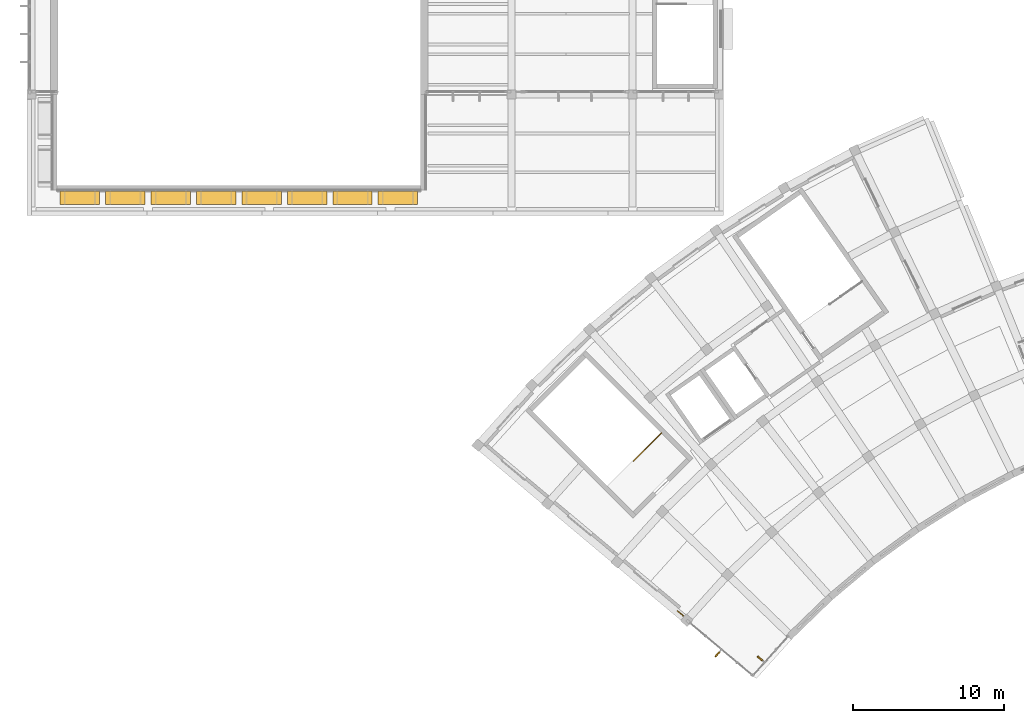
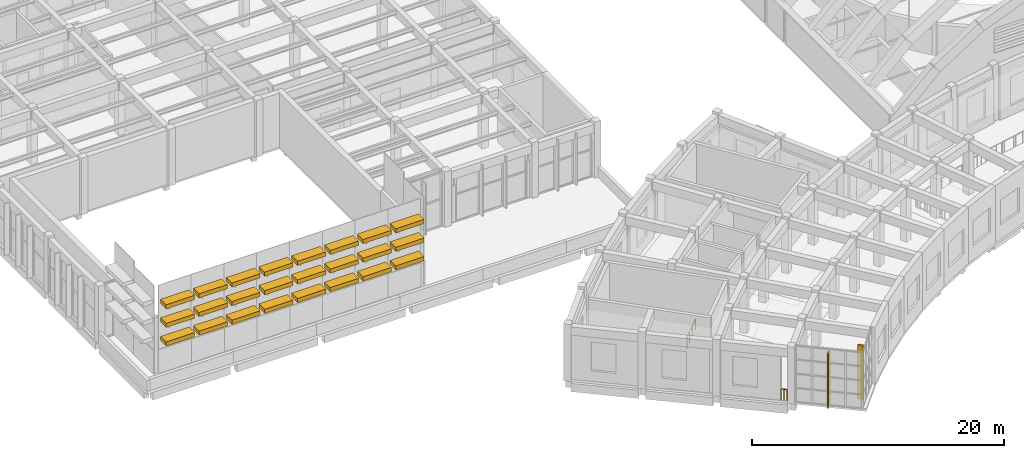
# One storey, part 81 of 94: 26 shading devices, 2 railings.
"""IFC4 building model written with IfcOpenShell, lengths in metres."""

import ifcopenshell
import ifcopenshell.guid

model = None  # the IFC model being written
_history = None  # IfcOwnerHistory: only IFC2X3 demands one
_inside = {}  # id of a spatial element -> (the spatial element, [elements in it])
_under = {}  # id of a project, library or spatial element -> (it, [spatial elements below it])
_declared = {}  # id of a project -> (the project, [libraries it declares])
_typed = {}  # id of a type object -> (the type object, [elements of that type])
_made_of = {}  # id of a material, layer set ... -> (it, [elements and type objects made of it])


def new_model(schema):
    """Start an empty IFC model of exactly this schema.

    Asked for "IFC4X3", IfcOpenShell would pick the latest addendum, in which some entities
    have other attributes; the version numbers below select the first issue.
    IFC2X3 requires an IfcOwnerHistory on every rooted entity: one is made here for all.
    """
    global model, _history
    if schema == "IFC4X3":
        model = ifcopenshell.file(schema_version=(4, 3, 0, 0))
    else:
        model = ifcopenshell.file(schema=schema)
    _inside.clear()
    _under.clear()
    _declared.clear()
    _typed.clear()
    _made_of.clear()
    _history = None
    if model.schema == "IFC2X3":
        org = make("IfcOrganization", Name="unknown")
        user = make(
            "IfcPersonAndOrganization",
            ThePerson=make("IfcPerson", FamilyName="unknown"),
            TheOrganization=org,
        )
        app = make(
            "IfcApplication",
            ApplicationDeveloper=org,
            Version="unknown",
            ApplicationFullName="unknown",
            ApplicationIdentifier="unknown",
        )
        _history = make(
            "IfcOwnerHistory",
            OwningUser=user,
            OwningApplication=app,
            ChangeAction="ADDED",
            CreationDate=0,
        )
    return model


def make(cls, **values):
    """One entity of the class cls with the attributes given. An attribute that is None is left unset."""
    return model.create_entity(
        cls, **{name: value for name, value in values.items() if value is not None}
    )


def rooted(cls, **values):
    """An entity with a GlobalId (a new one), such as an element, a storey or a relation."""
    return make(cls, GlobalId=ifcopenshell.guid.new(), OwnerHistory=_history, **values)


def si_unit(unit_type, name, prefix=None):
    """IfcSIUnit, for example si_unit("LENGTHUNIT", "METRE", prefix="MILLI")."""
    return make("IfcSIUnit", UnitType=unit_type, Prefix=prefix, Name=name)


def assignment(units):
    """IfcUnitAssignment: the units of a project."""
    return None if units is None else make("IfcUnitAssignment", Units=units)


def point(xyz):
    """IfcCartesianPoint."""
    return None if xyz is None else make("IfcCartesianPoint", Coordinates=xyz)


def direction(xyz):
    """IfcDirection."""
    return None if xyz is None else make("IfcDirection", DirectionRatios=xyz)


def frame(location, z_axis=None, x_axis=None):
    """IfcAxis2Placement3D, a coordinate frame: its origin and axes. An axis left out is left unset."""
    return make(
        "IfcAxis2Placement3D",
        Location=point(location),
        Axis=direction(z_axis),
        RefDirection=direction(x_axis),
    )


def frame_2d(location, x_axis=None):
    """IfcAxis2Placement2D, a coordinate frame in the plane: its origin and x axis."""
    return make(
        "IfcAxis2Placement2D", Location=point(location), RefDirection=direction(x_axis)
    )


def origin():
    """The frame at (0, 0, 0) with its axes left unset."""
    return frame((0.0, 0.0, 0.0))


def origin_2d():
    """The frame at (0, 0) in the plane with its x axis left unset."""
    return frame_2d((0.0, 0.0))


def place(relative_to, where):
    """IfcLocalPlacement: puts the frame where relative to a parent placement (None: the world)."""
    return make(
        "IfcLocalPlacement", PlacementRelTo=relative_to, RelativePlacement=where
    )


def context(
    kind, dimensions, precision=None, world=None, true_north=None, identifier=None
):
    """IfcGeometricRepresentationContext, for example the 3D "Model" context."""
    return make(
        "IfcGeometricRepresentationContext",
        ContextIdentifier=identifier,
        ContextType=kind,
        CoordinateSpaceDimension=dimensions,
        Precision=precision,
        WorldCoordinateSystem=world,
        TrueNorth=true_north,
    )


def subcontext(parent, identifier, kind, view, scale=None):
    """IfcGeometricRepresentationSubContext, for example "Body" below "Model"."""
    return make(
        "IfcGeometricRepresentationSubContext",
        ContextIdentifier=identifier,
        ContextType=kind,
        ParentContext=parent,
        TargetScale=scale,
        TargetView=view,
    )


def project(units=None, contexts=None):
    """IfcProject with its units and contexts."""
    return rooted(
        "IfcProject",
        Name="project",
        RepresentationContexts=contexts,
        UnitsInContext=assignment(units),
    )


def spatial(cls, under=None, at=None, **own):
    """A site, building, storey or space (cls), placed at a placement, below another one or the project."""
    s = rooted(cls, ObjectPlacement=at, **own)
    if under is not None:
        _under.setdefault(under.id(), (under, []))[1].append(s)
    return s


def profile(cls, at=None, kind="AREA", **sizes):
    """A parametric profile (cls). Its sizes go by their IFC names, for example OverallWidth=200.0."""
    return make(cls, ProfileType=kind, Position=at, **sizes)


def rectangle(**sizes):
    """IfcRectangleProfileDef."""
    return profile("IfcRectangleProfileDef", **sizes)


def circle(**sizes):
    """IfcCircleProfileDef."""
    return profile("IfcCircleProfileDef", **sizes)


def extrude(swept, where, along, depth):
    """IfcExtrudedAreaSolid: the profile swept, set in the frame where, extruded along a direction by depth."""
    return make(
        "IfcExtrudedAreaSolid",
        SweptArea=swept,
        Position=where,
        ExtrudedDirection=direction(along),
        Depth=depth,
    )


def shape(context_of_items, identifier, shape_type, items):
    """IfcShapeRepresentation: the items that make up one representation, for example the "Body"."""
    return make(
        "IfcShapeRepresentation",
        ContextOfItems=context_of_items,
        RepresentationIdentifier=identifier,
        RepresentationType=shape_type,
        Items=items,
    )


def material(Name=None, Category=None):
    """IfcMaterial."""
    return make("IfcMaterial", Name=Name, Category=Category)


def made_of(thing, what):
    """Note that an element or type object is made of a material, layer set ...; save() writes the relation."""
    if what is not None:
        _made_of.setdefault(what.id(), (what, []))[1].append(thing)
    return thing


def type_object(cls, material=None, **own):
    """A type object (cls), such as IfcWallType, which elements share."""
    return made_of(rooted(cls, **own), material)


def element(
    cls,
    number,
    at=None,
    inside=None,
    cuts=None,
    type_object=None,
    material=None,
    context=None,
    identifier="Body",
    shape_type=None,
    held_by="IfcProductDefinitionShape",
    body=None,
    shapes=None,
    **own,
):
    """One element of the class cls, such as IfcWall. Its Tag is "e" and its number.

    at: its placement. inside: the storey or other place that contains it. cuts: it is an
    opening in that element (IfcRelVoidsElement). A single representation is given by context,
    identifier, shape_type and body (its items); several are given by shapes. held_by: the class
    of the entity that holds the representations. save() writes the other relations.
    """
    e = rooted(cls, Tag="e%d" % number, ObjectPlacement=at, **own)
    if body is not None:
        shapes = [shape(context, identifier, shape_type, body)]
    if shapes is not None:
        e.Representation = make(held_by, Representations=shapes)
    if inside is not None:
        _inside.setdefault(inside.id(), (inside, []))[1].append(e)
    if cuts is not None:
        rooted(
            "IfcRelVoidsElement", RelatingBuildingElement=cuts, RelatedOpeningElement=e
        )
    if type_object is not None:
        _typed.setdefault(type_object.id(), (type_object, []))[1].append(e)
    return made_of(e, material)


def aggregate(whole, parts):
    """IfcRelAggregates: a whole, such as a stair, and the parts it consists of."""
    return rooted("IfcRelAggregates", RelatingObject=whole, RelatedObjects=parts)


def save(model, path):
    """Write the relations noted so far, then the file.

    IfcRelAggregates (storeys below a building ...), IfcRelContainedInSpatialStructure (elements
    in a storey), IfcRelDefinesByType, IfcRelAssociatesMaterial and IfcRelDeclares: one each for
    every whole, place, type object, material and project.
    """
    for whole, parts in _under.values():
        aggregate(whole, parts)
    for where, things in _inside.values():
        rooted(
            "IfcRelContainedInSpatialStructure",
            RelatedElements=things,
            RelatingStructure=where,
        )
    for kind, things in _typed.values():
        rooted("IfcRelDefinesByType", RelatedObjects=things, RelatingType=kind)
    for what, things in _made_of.values():
        rooted("IfcRelAssociatesMaterial", RelatedObjects=things, RelatingMaterial=what)
    for by, libraries in _declared.values():
        rooted("IfcRelDeclares", RelatingContext=by, RelatedDefinitions=libraries)
    model.write(path)


model = new_model("IFC4")

# Units and contexts
model_context = context("Model", 3, precision=1e-05, world=origin(), true_north=direction((0.0, 1.0)))
body_context = subcontext(model_context, "Body", "Model", "MODEL_VIEW")
ifc_project = project(units=[si_unit("LENGTHUNIT", "METRE"), si_unit("AREAUNIT", "SQUARE_METRE"), si_unit("VOLUMEUNIT", "CUBIC_METRE"), si_unit("PLANEANGLEUNIT", "RADIAN"), si_unit("MASSUNIT", "GRAM", prefix="KILO")], contexts=[model_context])

# Site, building, storey
site_placement = place(None, origin())
site = spatial("IfcSite", under=ifc_project, at=site_placement, CompositionType="ELEMENT")
building_placement = place(site_placement, origin())
building = spatial("IfcBuilding", under=site, at=building_placement, Name="Lunette Opera House", CompositionType="ELEMENT")
storey_placement = place(building_placement, frame((0.0, 0.0, 22.5)))
storey = spatial("IfcBuildingStorey", under=building, at=storey_placement, Name="L04", CompositionType="ELEMENT", Elevation=22.5)

# Shading devices
ifc_material_1 = material(Name="Powder-coated aluminium", Category="aluminium")
shading_device_type_1 = type_object("IfcShadingDeviceType", Name="BRISE-SOLEIL BLADE 900 X 400", PredefinedType="USERDEFINED", material=ifc_material_1)
for number, where, z_axis, x_axis, name in (
    (1, (11.5, 65.18994140625, 3.199951171875), (0.0, 0.0, 1.0), (0.0, -1.0, 0.0), "Brise-soleil blade loft S 0"),
    (2, (11.5, 65.18994140625, 5.0), (0.0, 0.0, 1.0), (0.0, -1.0, 0.0), "Brise-soleil blade loft S 0"),
    (3, (11.5, 65.18994140625, 6.800048828125), (0.0, 0.0, 1.0), (0.0, -1.0, 0.0), "Brise-soleil blade loft S 0"),
    (4, (14.5, 65.18994140625, 3.199951171875), (0.0, 0.0, 1.0), (0.0, -1.0, 0.0), "Brise-soleil blade loft S 1"),
    (5, (14.5, 65.18994140625, 5.0), (0.0, 0.0, 1.0), (0.0, -1.0, 0.0), "Brise-soleil blade loft S 1"),
    (6, (14.5, 65.18994140625, 6.800048828125), (0.0, 0.0, 1.0), (0.0, -1.0, 0.0), "Brise-soleil blade loft S 1"),
    (7, (17.5, 65.18994140625, 3.199951171875), (0.0, 0.0, 1.0), (0.0, -1.0, 0.0), "Brise-soleil blade loft S 2"),
    (8, (17.5, 65.18994140625, 5.0), (0.0, 0.0, 1.0), (0.0, -1.0, 0.0), "Brise-soleil blade loft S 2"),
    (9, (17.5, 65.18994140625, 6.800048828125), (0.0, 0.0, 1.0), (0.0, -1.0, 0.0), "Brise-soleil blade loft S 2"),
    (10, (20.5, 65.18994140625, 3.199951171875), (0.0, 0.0, 1.0), (0.0, -1.0, 0.0), "Brise-soleil blade loft S 3"),
    (11, (20.5, 65.18994140625, 5.0), (0.0, 0.0, 1.0), (0.0, -1.0, 0.0), "Brise-soleil blade loft S 3"),
    (12, (20.5, 65.18994140625, 6.800048828125), (0.0, 0.0, 1.0), (0.0, -1.0, 0.0), "Brise-soleil blade loft S 3"),
    (13, (23.5, 65.18994140625, 3.199951171875), (0.0, 0.0, 1.0), (0.0, -1.0, 0.0), "Brise-soleil blade loft S 4"),
    (14, (23.5, 65.18994140625, 5.0), (0.0, 0.0, 1.0), (0.0, -1.0, 0.0), "Brise-soleil blade loft S 4"),
    (15, (23.5, 65.18994140625, 6.800048828125), (0.0, 0.0, 1.0), (0.0, -1.0, 0.0), "Brise-soleil blade loft S 4"),
    (16, (26.5, 65.18994140625, 3.199951171875), (0.0, 0.0, 1.0), (0.0, -1.0, 0.0), "Brise-soleil blade loft S 5"),
    (17, (26.5, 65.18994140625, 5.0), (0.0, 0.0, 1.0), (0.0, -1.0, 0.0), "Brise-soleil blade loft S 5"),
    (18, (26.5, 65.18994140625, 6.800048828125), (0.0, 0.0, 1.0), (0.0, -1.0, 0.0), "Brise-soleil blade loft S 5"),
    (19, (29.5, 65.18994140625, 3.199951171875), (0.0, 0.0, 1.0), (0.0, -1.0, 0.0), "Brise-soleil blade loft S 6"),
    (20, (29.5, 65.18994140625, 5.0), (0.0, 0.0, 1.0), (0.0, -1.0, 0.0), "Brise-soleil blade loft S 6"),
    (21, (29.5, 65.18994140625, 6.800048828125), (0.0, 0.0, 1.0), (0.0, -1.0, 0.0), "Brise-soleil blade loft S 6"),
    (22, (32.5, 65.18994140625, 3.199951171875), (0.0, 0.0, 1.0), (0.0, -1.0, 0.0), "Brise-soleil blade loft S 7"),
    (23, (32.5, 65.18994140625, 5.0), (0.0, 0.0, 1.0), (0.0, -1.0, 0.0), "Brise-soleil blade loft S 7"),
    (24, (32.5, 65.18994140625, 6.800048828125), (0.0, 0.0, 1.0), (0.0, -1.0, 0.0), "Brise-soleil blade loft S 7"),
):
    element("IfcShadingDevice", number, at=place(storey_placement, frame(where, z_axis=z_axis, x_axis=x_axis)), inside=storey, type_object=shading_device_type_1, Name=name, ObjectType="BRISE-SOLEIL BLADE", PredefinedType="USERDEFINED", context=body_context, shape_type="SweptSolid", body=[
        extrude(rectangle(XDim=0.89990234375, YDim=2.60009765625, at=origin_2d()), origin(), (0.0, 0.0, 1.0), 0.39990234375),
    ])

# Railing
ifc_material_2 = material(Name="Steel S355", Category="steel")
railing_type_1 = type_object("IfcRailingType", Name="DECK GUARD 1100", PredefinedType="GUARDRAIL", material=ifc_material_2)
railing_1_placement = place(storey_placement, frame((50.964111328125, 37.89404296875, 0.0)))
element("IfcRailing", 25, at=railing_1_placement, inside=storey, type_object=railing_type_1, Name="Deck guard 029", PredefinedType="GUARDRAIL", context=body_context, shape_type="SweptSolid", body=[
    extrude(circle(Radius=0.02392578125, at=origin_2d()), frame((0.0, 0.0, 1.076171875), z_axis=(0.765606918818, -0.643308670747, 0.0), x_axis=(0.643308670747, 0.765606918818, 0.0)), (0.0, 0.0, 1.0), 0.24560546875),
    extrude(circle(Radius=0.02392578125, at=origin_2d()), frame((0.18798828125, -0.157958984375, 1.076171875), z_axis=(0.767567213213, -0.64096846506, 0.0), x_axis=(0.64096846506, 0.767567213213, 0.0)), (0.0, 0.0, 1.0), 0.244873046875),
    extrude(circle(Radius=0.02099609375, at=origin_2d()), origin(), (0.0, 0.0, 1.0), 1.052001953125),
    extrude(circle(Radius=0.02099609375, at=origin_2d()), frame((0.18798828125, -0.157958984375, 0.0)), (0.0, 0.0, 1.0), 1.052001953125),
    extrude(circle(Radius=0.02099609375, at=origin_2d()), frame((0.3759765625, -0.31494140625, 0.0)), (0.0, 0.0, 1.0), 1.052001953125),
])

# Shading devices
ifc_material_3 = material(Name="Powder-coated aluminium", Category="aluminium")
shading_device_type_2 = type_object("IfcShadingDeviceType", Name="SOLAR FIN 100 X 450", PredefinedType="USERDEFINED", material=ifc_material_3)
for number, where, z_axis, x_axis, name in (
    (26, (56.4140625, 34.757080078125, 0.115234375), (0.0, 0.0, 1.0), (-0.74421712619, 0.667937773363, 0.0), "Solar fin FC-X2169 2"),
    (27, (53.60791015625, 35.04296875, 0.115234375), (0.0, 0.0, 1.0), (-0.642839751189, -0.76600068818, 0.0), "Solar fin FC-X2170 2"),
):
    element("IfcShadingDevice", number, at=place(storey_placement, frame(where, z_axis=z_axis, x_axis=x_axis)), inside=storey, type_object=shading_device_type_2, Name=name, ObjectType="SOLAR FIN", PredefinedType="USERDEFINED", context=body_context, shape_type="SweptSolid", body=[
        extrude(rectangle(XDim=0.449951171875, YDim=0.10009765625, at=origin_2d()), origin(), (0.0, 0.0, 1.0), 5.235107421875),
    ])

# Railing
ifc_material_4 = material(Name="Steel S355", Category="steel")
railing_type_2 = type_object("IfcRailingType", Name="STAIR GUARD 1100", PredefinedType="GUARDRAIL", material=ifc_material_4)
railing_2_placement = place(storey_placement, frame((49.89697265625, 49.638671875, 0.0)))
element("IfcRailing", 28, at=railing_2_placement, inside=storey, type_object=railing_type_2, Name="L04 ST1 top well guard 1", PredefinedType="GUARDRAIL", context=body_context, shape_type="SweptSolid", body=[
    extrude(circle(Radius=0.02392578125, at=origin_2d()), frame((0.0, 0.0, 1.076171875), z_axis=(-0.707106781187, -0.707106781187, 0.0), x_axis=(0.707106781187, -0.707106781187, 0.0)), (0.0, 0.0, 1.0), 2.60009765625),
    extrude(circle(Radius=0.02099609375, at=origin_2d()), origin(), (0.0, 0.0, 1.0), 1.052001953125),
    extrude(circle(Radius=0.02099609375, at=origin_2d()), frame((-0.61279296875, -0.61279296875, 0.0)), (0.0, 0.0, 1.0), 1.052001953125),
    extrude(circle(Radius=0.02099609375, at=origin_2d()), frame((-1.225830078125, -1.225830078125, 0.0)), (0.0, 0.0, 1.0), 1.052001953125),
    extrude(circle(Radius=0.02099609375, at=origin_2d()), frame((-1.838623046875, -1.838623046875, 0.0)), (0.0, 0.0, 1.0), 1.052001953125),
])

save(model, "model.ifc")
